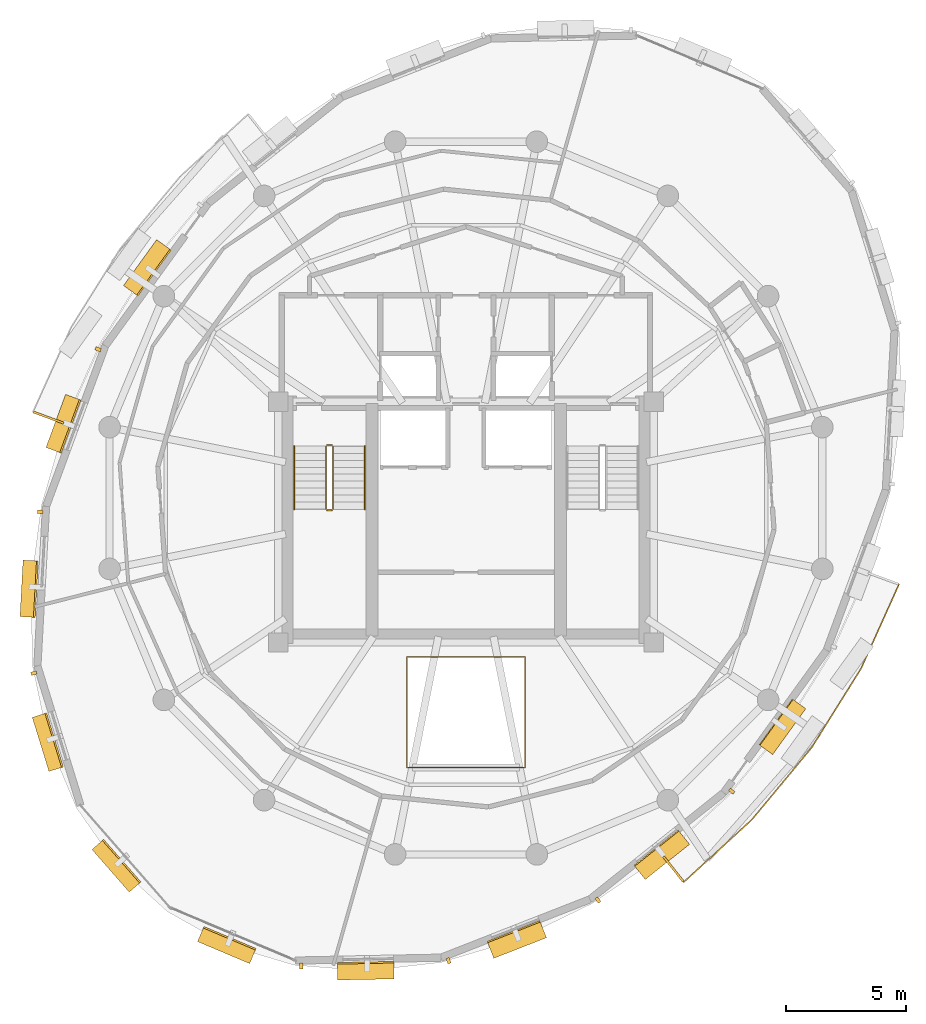
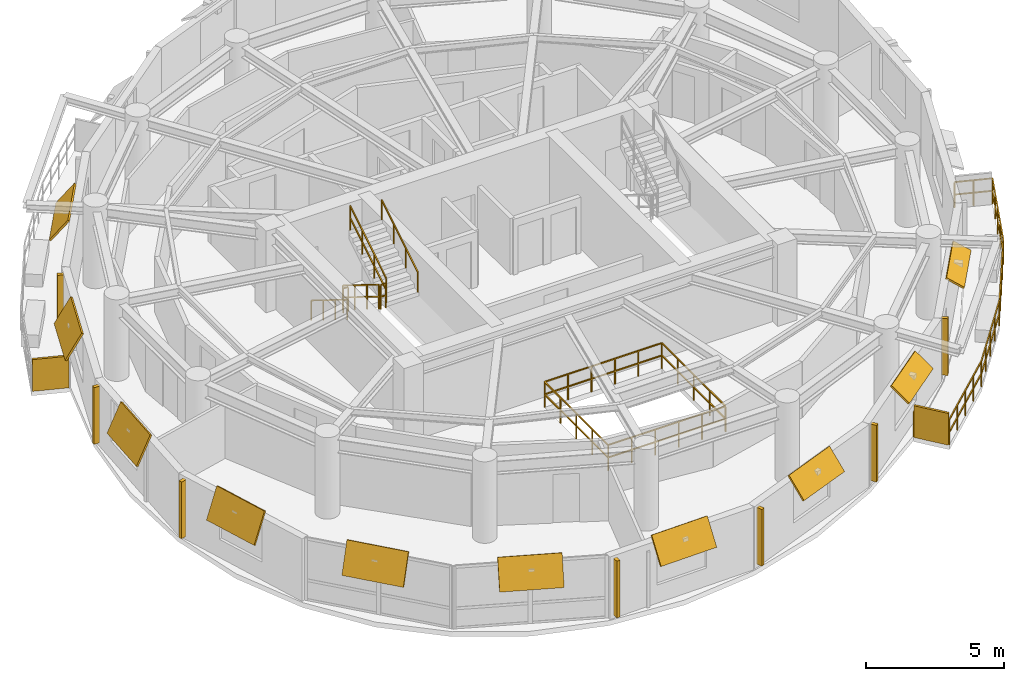
# One storey, part 10 of 11: 19 shading devices, 8 railings.
"""IFC4 building model written with IfcOpenShell, lengths in metres."""

from ifc_helpers import new_model, si_unit, direction, frame, origin, origin_2d, place, context, subcontext, project, spatial, rectangle, extrude, material, layer, layer_set, type_object, element, save


model = new_model("IFC4")

# Units and contexts
model_context = context("Model", 3, precision=1e-05, world=origin(), true_north=direction((0.0, 1.0)))
body_context = subcontext(model_context, "Body", "Model", "MODEL_VIEW")
ifc_project = project(units=[si_unit("LENGTHUNIT", "METRE"), si_unit("AREAUNIT", "SQUARE_METRE"), si_unit("VOLUMEUNIT", "CUBIC_METRE"), si_unit("PLANEANGLEUNIT", "RADIAN"), si_unit("MASSUNIT", "GRAM", prefix="KILO"), si_unit("THERMODYNAMICTEMPERATUREUNIT", "KELVIN"), si_unit("POWERUNIT", "WATT")], contexts=[model_context])

# Site, building, storey
site_placement = place(None, origin())
site = spatial("IfcSite", under=ifc_project, at=site_placement, CompositionType="ELEMENT")
building_placement = place(site_placement, origin())
building = spatial("IfcBuilding", under=site, at=building_placement, Name="Ocrelia Relay Tower", CompositionType="ELEMENT")
storey_placement = place(building_placement, frame((0.0, 0.0, 255.60009765625)))
storey = spatial("IfcBuildingStorey", under=building, at=storey_placement, Name="L63", CompositionType="ELEMENT", Elevation=255.60009765625)

# Railings
ifc_material_1 = material(Name="Steel S355 balustrade", Category="steel")
railing_type_1 = type_object("IfcRailingType", Name="RL-EXT-GUARD-1150", PredefinedType="GUARDRAIL", material=ifc_material_1)
railing_1_placement = place(storey_placement, frame((50.68994140625, 22.896240234375, 0.0)))
element("IfcRailing", 1, at=railing_1_placement, inside=storey, type_object=railing_type_1, Name="L63 Loggia Balcony Guard Rail B2", PredefinedType="GUARDRAIL", context=body_context, shape_type="SweptSolid", body=[
    extrude(rectangle(XDim=0.048095703125, YDim=0.048095703125, at=origin_2d()), frame((0.0, 0.0, 1.1259765625), z_axis=(0.938683645607, -0.344779659305, 0.0), x_axis=(0.344779659305, 0.938683645607, 0.0)), (0.0, 0.0, 1.0), 1.3935546875),
    extrude(rectangle(XDim=0.048095703125, YDim=0.048095703125, at=origin_2d()), frame((0.0, 0.0, 0.574951171875), z_axis=(0.938683645607, -0.344779659305, 0.0), x_axis=(0.344779659305, 0.938683645607, 0.0)), (0.0, 0.0, 1.0), 1.3935546875),
    extrude(rectangle(XDim=0.048095703125, YDim=0.048095703125, at=origin_2d()), frame((1.30810546875, -0.48046875, 1.1259765625), z_axis=(-0.410026418912, -0.912073646036, 0.0), x_axis=(0.912073646036, -0.410026418912, 0.0)), (0.0, 0.0, 1.0), 1.9208984375),
    extrude(rectangle(XDim=0.048095703125, YDim=0.048095703125, at=origin_2d()), frame((1.30810546875, -0.48046875, 0.574951171875), z_axis=(-0.410026418912, -0.912073646036, 0.0), x_axis=(0.912073646036, -0.410026418912, 0.0)), (0.0, 0.0, 1.0), 1.9208984375),
    extrude(rectangle(XDim=0.048095703125, YDim=0.048095703125, at=origin_2d()), frame((0.5205078125, -2.232421875, 1.1259765625), z_axis=(-0.410073956209, -0.912052273962, 0.0), x_axis=(0.912052273962, -0.410073956209, 0.0)), (0.0, 0.0, 1.0), 1.920654296875),
    extrude(rectangle(XDim=0.048095703125, YDim=0.048095703125, at=origin_2d()), frame((0.5205078125, -2.232421875, 0.574951171875), z_axis=(-0.410073956209, -0.912052273962, 0.0), x_axis=(0.912052273962, -0.410073956209, 0.0)), (0.0, 0.0, 1.0), 1.920654296875),
    extrude(rectangle(XDim=0.048095703125, YDim=0.048095703125, at=origin_2d()), frame((-0.26708984375, -3.984130859375, 1.1259765625), z_axis=(-0.529976327582, -0.848012436349, 0.0), x_axis=(0.848012436349, -0.529976327582, 0.0)), (0.0, 0.0, 1.0), 3.882080078125),
    extrude(rectangle(XDim=0.048095703125, YDim=0.048095703125, at=origin_2d()), frame((-0.26708984375, -3.984130859375, 0.574951171875), z_axis=(-0.529976327582, -0.848012436349, 0.0), x_axis=(0.848012436349, -0.529976327582, 0.0)), (0.0, 0.0, 1.0), 3.882080078125),
    extrude(rectangle(XDim=0.048095703125, YDim=0.048095703125, at=origin_2d()), frame((-2.324462890625, -7.276123046875, 1.1259765625), z_axis=(-0.638735705815, -0.769426213562, 0.0), x_axis=(0.769426213562, -0.638735705815, 0.0)), (0.0, 0.0, 1.0), 3.8818359375),
    extrude(rectangle(XDim=0.048095703125, YDim=0.048095703125, at=origin_2d()), frame((-2.324462890625, -7.276123046875, 0.574951171875), z_axis=(-0.638735705815, -0.769426213562, 0.0), x_axis=(0.769426213562, -0.638735705815, 0.0)), (0.0, 0.0, 1.0), 3.8818359375),
    extrude(rectangle(XDim=0.048095703125, YDim=0.048095703125, at=origin_2d()), frame((-4.803955078125, -10.262939453125, 1.1259765625), z_axis=(-0.737138310617, -0.675741896748, 0.0), x_axis=(0.675741896748, -0.737138310617, 0.0)), (0.0, 0.0, 1.0), 1.920654296875),
    extrude(rectangle(XDim=0.048095703125, YDim=0.048095703125, at=origin_2d()), frame((-4.803955078125, -10.262939453125, 0.574951171875), z_axis=(-0.737138310617, -0.675741896748, 0.0), x_axis=(0.675741896748, -0.737138310617, 0.0)), (0.0, 0.0, 1.0), 1.920654296875),
    extrude(rectangle(XDim=0.048095703125, YDim=0.048095703125, at=origin_2d()), frame((-6.2197265625, -11.560791015625, 1.1259765625), z_axis=(-0.737196346491, -0.675678582405, 0.0), x_axis=(0.675678582405, -0.737196346491, 0.0)), (0.0, 0.0, 1.0), 1.9208984375),
    extrude(rectangle(XDim=0.048095703125, YDim=0.048095703125, at=origin_2d()), frame((-6.2197265625, -11.560791015625, 0.574951171875), z_axis=(-0.737196346491, -0.675678582405, 0.0), x_axis=(0.675678582405, -0.737196346491, 0.0)), (0.0, 0.0, 1.0), 1.9208984375),
    extrude(rectangle(XDim=0.048095703125, YDim=0.048095703125, at=origin_2d()), frame((-7.6357421875, -12.858642578125, 1.1259765625), z_axis=(-0.621999067939, 0.783017981583, 0.0), x_axis=(-0.783017981583, -0.621999067939, 0.0)), (0.0, 0.0, 1.0), 1.393310546875),
    extrude(rectangle(XDim=0.048095703125, YDim=0.048095703125, at=origin_2d()), frame((-7.6357421875, -12.858642578125, 0.574951171875), z_axis=(-0.621999067939, 0.783017981583, 0.0), x_axis=(-0.783017981583, -0.621999067939, 0.0)), (0.0, 0.0, 1.0), 1.393310546875),
    extrude(rectangle(XDim=0.0419921875, YDim=0.0419921875, at=origin_2d()), origin(), (0.0, 0.0, 1.0), 1.101806640625),
    extrude(rectangle(XDim=0.0419921875, YDim=0.0419921875, at=origin_2d()), frame((0.654052734375, -0.240234375, 0.0)), (0.0, 0.0, 1.0), 1.101806640625),
    extrude(rectangle(XDim=0.0419921875, YDim=0.0419921875, at=origin_2d()), frame((1.30810546875, -0.48046875, 0.0)), (0.0, 0.0, 1.0), 1.101806640625),
    extrude(rectangle(XDim=0.0419921875, YDim=0.0419921875, at=origin_2d()), frame((0.914306640625, -1.3564453125, 0.0)), (0.0, 0.0, 1.0), 1.101806640625),
    extrude(rectangle(XDim=0.0419921875, YDim=0.0419921875, at=origin_2d()), frame((0.5205078125, -2.232421875, 0.0)), (0.0, 0.0, 1.0), 1.101806640625),
    extrude(rectangle(XDim=0.0419921875, YDim=0.0419921875, at=origin_2d()), frame((0.126708984375, -3.1083984375, 0.0)), (0.0, 0.0, 1.0), 1.101806640625),
    extrude(rectangle(XDim=0.0419921875, YDim=0.0419921875, at=origin_2d()), frame((-0.26708984375, -3.984130859375, 0.0)), (0.0, 0.0, 1.0), 1.101806640625),
    extrude(rectangle(XDim=0.0419921875, YDim=0.0419921875, at=origin_2d()), frame((-0.781494140625, -4.80712890625, 0.0)), (0.0, 0.0, 1.0), 1.101806640625),
    extrude(rectangle(XDim=0.0419921875, YDim=0.0419921875, at=origin_2d()), frame((-1.2958984375, -5.630126953125, 0.0)), (0.0, 0.0, 1.0), 1.101806640625),
    extrude(rectangle(XDim=0.0419921875, YDim=0.0419921875, at=origin_2d()), frame((-1.81005859375, -6.453125, 0.0)), (0.0, 0.0, 1.0), 1.101806640625),
    extrude(rectangle(XDim=0.0419921875, YDim=0.0419921875, at=origin_2d()), frame((-2.324462890625, -7.276123046875, 0.0)), (0.0, 0.0, 1.0), 1.101806640625),
    extrude(rectangle(XDim=0.0419921875, YDim=0.0419921875, at=origin_2d()), frame((-2.9443359375, -8.02294921875, 0.0)), (0.0, 0.0, 1.0), 1.101806640625),
    extrude(rectangle(XDim=0.0419921875, YDim=0.0419921875, at=origin_2d()), frame((-3.564208984375, -8.76953125, 0.0)), (0.0, 0.0, 1.0), 1.101806640625),
    extrude(rectangle(XDim=0.0419921875, YDim=0.0419921875, at=origin_2d()), frame((-4.18408203125, -9.51611328125, 0.0)), (0.0, 0.0, 1.0), 1.101806640625),
    extrude(rectangle(XDim=0.0419921875, YDim=0.0419921875, at=origin_2d()), frame((-4.803955078125, -10.262939453125, 0.0)), (0.0, 0.0, 1.0), 1.101806640625),
    extrude(rectangle(XDim=0.0419921875, YDim=0.0419921875, at=origin_2d()), frame((-5.51171875, -10.911865234375, 0.0)), (0.0, 0.0, 1.0), 1.101806640625),
    extrude(rectangle(XDim=0.0419921875, YDim=0.0419921875, at=origin_2d()), frame((-6.2197265625, -11.560791015625, 0.0)), (0.0, 0.0, 1.0), 1.101806640625),
    extrude(rectangle(XDim=0.0419921875, YDim=0.0419921875, at=origin_2d()), frame((-6.927734375, -12.209716796875, 0.0)), (0.0, 0.0, 1.0), 1.101806640625),
    extrude(rectangle(XDim=0.0419921875, YDim=0.0419921875, at=origin_2d()), frame((-7.6357421875, -12.858642578125, 0.0)), (0.0, 0.0, 1.0), 1.101806640625),
    extrude(rectangle(XDim=0.0419921875, YDim=0.0419921875, at=origin_2d()), frame((-8.069091796875, -12.31298828125, 0.0)), (0.0, 0.0, 1.0), 1.101806640625),
    extrude(rectangle(XDim=0.0419921875, YDim=0.0419921875, at=origin_2d()), frame((-8.50244140625, -11.767578125, 0.0)), (0.0, 0.0, 1.0), 1.101806640625),
])
ifc_material_2 = material(Name="Steel S355 atrium balustrade", Category="steel")
railing_type_2 = type_object("IfcRailingType", Name="RL-INT-GUARD-115", PredefinedType="GUARDRAIL", material=ifc_material_2)
railing_2_placement = place(storey_placement, frame((31.550048828125, 14.800048828125, 0.0)))
element("IfcRailing", 2, at=railing_2_placement, inside=storey, type_object=railing_type_2, Name="L63 Multi-Zone Interior Atrium Guard", PredefinedType="GUARDRAIL", context=body_context, shape_type="SweptSolid", body=[
    extrude(rectangle(XDim=0.048095703125, YDim=0.048095703125, at=origin_2d()), frame((0.0, 0.0, 1.1259765625), z_axis=(1.0, 0.0, 0.0), x_axis=(0.0, 1.0, 0.0)), (0.0, 0.0, 1.0), 4.89990234375),
    extrude(rectangle(XDim=0.048095703125, YDim=0.048095703125, at=origin_2d()), frame((0.0, 0.0, 0.574951171875), z_axis=(1.0, 0.0, 0.0), x_axis=(0.0, 1.0, 0.0)), (0.0, 0.0, 1.0), 4.89990234375),
    extrude(rectangle(XDim=0.048095703125, YDim=0.048095703125, at=origin_2d()), frame((4.89990234375, 0.0, 1.1259765625), z_axis=(0.0, 1.0, 0.0), x_axis=(-1.0, 0.0, 0.0)), (0.0, 0.0, 1.0), 4.599853515625),
    extrude(rectangle(XDim=0.048095703125, YDim=0.048095703125, at=origin_2d()), frame((4.89990234375, 0.0, 0.574951171875), z_axis=(0.0, 1.0, 0.0), x_axis=(-1.0, 0.0, 0.0)), (0.0, 0.0, 1.0), 4.599853515625),
    extrude(rectangle(XDim=0.048095703125, YDim=0.048095703125, at=origin_2d()), frame((4.89990234375, 4.599853515625, 1.1259765625), z_axis=(-1.0, 0.0, 0.0), x_axis=(0.0, -1.0, 0.0)), (0.0, 0.0, 1.0), 4.89990234375),
    extrude(rectangle(XDim=0.048095703125, YDim=0.048095703125, at=origin_2d()), frame((4.89990234375, 4.599853515625, 0.574951171875), z_axis=(-1.0, 0.0, 0.0), x_axis=(0.0, -1.0, 0.0)), (0.0, 0.0, 1.0), 4.89990234375),
    extrude(rectangle(XDim=0.048095703125, YDim=0.048095703125, at=origin_2d()), frame((0.0, 4.599853515625, 1.1259765625), z_axis=(0.0, -1.0, 0.0), x_axis=(1.0, 0.0, 0.0)), (0.0, 0.0, 1.0), 4.599853515625),
    extrude(rectangle(XDim=0.048095703125, YDim=0.048095703125, at=origin_2d()), frame((0.0, 4.599853515625, 0.574951171875), z_axis=(0.0, -1.0, 0.0), x_axis=(1.0, 0.0, 0.0)), (0.0, 0.0, 1.0), 4.599853515625),
    extrude(rectangle(XDim=0.0419921875, YDim=0.0419921875, at=origin_2d()), origin(), (0.0, 0.0, 1.0), 1.101806640625),
    extrude(rectangle(XDim=0.0419921875, YDim=0.0419921875, at=origin_2d()), frame((0.97998046875, 0.0, 0.0)), (0.0, 0.0, 1.0), 1.101806640625),
    extrude(rectangle(XDim=0.0419921875, YDim=0.0419921875, at=origin_2d()), frame((1.9599609375, 0.0, 0.0)), (0.0, 0.0, 1.0), 1.101806640625),
    extrude(rectangle(XDim=0.0419921875, YDim=0.0419921875, at=origin_2d()), frame((2.93994140625, 0.0, 0.0)), (0.0, 0.0, 1.0), 1.101806640625),
    extrude(rectangle(XDim=0.0419921875, YDim=0.0419921875, at=origin_2d()), frame((3.919921875, 0.0, 0.0)), (0.0, 0.0, 1.0), 1.101806640625),
    extrude(rectangle(XDim=0.0419921875, YDim=0.0419921875, at=origin_2d()), frame((4.89990234375, 0.0, 0.0)), (0.0, 0.0, 1.0), 1.101806640625),
    extrude(rectangle(XDim=0.0419921875, YDim=0.0419921875, at=origin_2d()), frame((4.89990234375, 1.14990234375, 0.0)), (0.0, 0.0, 1.0), 1.101806640625),
    extrude(rectangle(XDim=0.0419921875, YDim=0.0419921875, at=origin_2d()), frame((4.89990234375, 2.2998046875, 0.0)), (0.0, 0.0, 1.0), 1.101806640625),
    extrude(rectangle(XDim=0.0419921875, YDim=0.0419921875, at=origin_2d()), frame((4.89990234375, 3.449951171875, 0.0)), (0.0, 0.0, 1.0), 1.101806640625),
    extrude(rectangle(XDim=0.0419921875, YDim=0.0419921875, at=origin_2d()), frame((4.89990234375, 4.599853515625, 0.0)), (0.0, 0.0, 1.0), 1.101806640625),
    extrude(rectangle(XDim=0.0419921875, YDim=0.0419921875, at=origin_2d()), frame((3.919921875, 4.599853515625, 0.0)), (0.0, 0.0, 1.0), 1.101806640625),
    extrude(rectangle(XDim=0.0419921875, YDim=0.0419921875, at=origin_2d()), frame((2.93994140625, 4.599853515625, 0.0)), (0.0, 0.0, 1.0), 1.101806640625),
    extrude(rectangle(XDim=0.0419921875, YDim=0.0419921875, at=origin_2d()), frame((1.9599609375, 4.599853515625, 0.0)), (0.0, 0.0, 1.0), 1.101806640625),
    extrude(rectangle(XDim=0.0419921875, YDim=0.0419921875, at=origin_2d()), frame((0.97998046875, 4.599853515625, 0.0)), (0.0, 0.0, 1.0), 1.101806640625),
    extrude(rectangle(XDim=0.0419921875, YDim=0.0419921875, at=origin_2d()), frame((0.0, 4.599853515625, 0.0)), (0.0, 0.0, 1.0), 1.101806640625),
    extrude(rectangle(XDim=0.0419921875, YDim=0.0419921875, at=origin_2d()), frame((0.0, 3.449951171875, 0.0)), (0.0, 0.0, 1.0), 1.101806640625),
    extrude(rectangle(XDim=0.0419921875, YDim=0.0419921875, at=origin_2d()), frame((0.0, 2.2998046875, 0.0)), (0.0, 0.0, 1.0), 1.101806640625),
    extrude(rectangle(XDim=0.0419921875, YDim=0.0419921875, at=origin_2d()), frame((0.0, 1.14990234375, 0.0)), (0.0, 0.0, 1.0), 1.101806640625),
])
railing_type_3 = type_object("IfcRailingType", Name="RL-STAIR-GUARD", PredefinedType="GUARDRAIL", material=ifc_material_1)
railing_3_placement = place(storey_placement, frame((28.179931640625, 28.14990234375, 0.179931640625)))
element("IfcRailing", 3, at=railing_3_placement, inside=storey, type_object=railing_type_3, Name="L63 ST1 stair guard 1", PredefinedType="GUARDRAIL", context=body_context, shape_type="SweptSolid", body=[
    extrude(rectangle(XDim=0.048095703125, YDim=0.048095703125, at=origin_2d()), frame((0.0, 0.0, 1.076171875), z_axis=(0.0, -0.849646306263, 0.527352969322), x_axis=(1.0, 0.0, 0.0)), (0.0, 0.0, 1.0), 3.07177734375),
    extrude(rectangle(XDim=0.048095703125, YDim=0.048095703125, at=origin_2d()), frame((0.0, 0.0, 0.550048828125), z_axis=(0.0, -0.849646306263, 0.527352969322), x_axis=(1.0, 0.0, 0.0)), (0.0, 0.0, 1.0), 3.07177734375),
    extrude(rectangle(XDim=0.0419921875, YDim=0.0419921875, at=origin_2d()), origin(), (0.0, 0.0, 1.0), 1.052001953125),
    extrude(rectangle(XDim=0.0419921875, YDim=0.0419921875, at=origin_2d()), frame((0.0, -0.869873046875, 0.5400390625)), (0.0, 0.0, 1.0), 1.052001953125),
    extrude(rectangle(XDim=0.0419921875, YDim=0.0419921875, at=origin_2d()), frame((0.0, -1.739990234375, 1.079833984375)), (0.0, 0.0, 1.0), 1.052001953125),
    extrude(rectangle(XDim=0.0419921875, YDim=0.0419921875, at=origin_2d()), frame((0.0, -2.60986328125, 1.619873046875)), (0.0, 0.0, 1.0), 1.052001953125),
])
railing_4_placement = place(storey_placement, frame((28.22998046875, 25.489990234375, 1.7998046875)))
element("IfcRailing", 4, at=railing_4_placement, inside=storey, type_object=railing_type_3, Name="L63 ST1 stair guard 2", PredefinedType="GUARDRAIL", context=body_context, shape_type="SweptSolid", body=[
    extrude(rectangle(XDim=0.048095703125, YDim=0.048095703125, at=origin_2d()), frame((0.0, 0.0, 1.076171875), z_axis=(1.0, 0.0, 0.0), x_axis=(0.0, 1.0, 0.0)), (0.0, 0.0, 1.0), 0.199951171875),
    extrude(rectangle(XDim=0.048095703125, YDim=0.048095703125, at=origin_2d()), frame((0.0, 0.0, 0.550048828125), z_axis=(1.0, 0.0, 0.0), x_axis=(0.0, 1.0, 0.0)), (0.0, 0.0, 1.0), 0.199951171875),
    extrude(rectangle(XDim=0.0419921875, YDim=0.0419921875, at=origin_2d()), origin(), (0.0, 0.0, 1.0), 1.052001953125),
    extrude(rectangle(XDim=0.0419921875, YDim=0.0419921875, at=origin_2d()), frame((0.199951171875, 0.0, 0.0)), (0.0, 0.0, 1.0), 1.052001953125),
])
railing_5_placement = place(storey_placement, frame((28.47998046875, 25.5400390625, 1.97998046875)))
element("IfcRailing", 5, at=railing_5_placement, inside=storey, type_object=railing_type_3, Name="L63 ST1 stair guard 3", PredefinedType="GUARDRAIL", context=body_context, shape_type="SweptSolid", body=[
    extrude(rectangle(XDim=0.048095703125, YDim=0.048095703125, at=origin_2d()), frame((0.0, 0.0, 1.076171875), z_axis=(0.0, 0.849646306263, 0.527352969322), x_axis=(-1.0, 0.0, 0.0)), (0.0, 0.0, 1.0), 3.07177734375),
    extrude(rectangle(XDim=0.048095703125, YDim=0.048095703125, at=origin_2d()), frame((0.0, 0.0, 0.550048828125), z_axis=(0.0, 0.849646306263, 0.527352969322), x_axis=(-1.0, 0.0, 0.0)), (0.0, 0.0, 1.0), 3.07177734375),
    extrude(rectangle(XDim=0.0419921875, YDim=0.0419921875, at=origin_2d()), origin(), (0.0, 0.0, 1.0), 1.052001953125),
    extrude(rectangle(XDim=0.0419921875, YDim=0.0419921875, at=origin_2d()), frame((0.0, 0.869873046875, 0.5400390625)), (0.0, 0.0, 1.0), 1.052001953125),
    extrude(rectangle(XDim=0.0419921875, YDim=0.0419921875, at=origin_2d()), frame((0.0, 1.739990234375, 1.079833984375)), (0.0, 0.0, 1.0), 1.052001953125),
    extrude(rectangle(XDim=0.0419921875, YDim=0.0419921875, at=origin_2d()), frame((0.0, 2.60986328125, 1.619873046875)), (0.0, 0.0, 1.0), 1.052001953125),
])
railing_6_placement = place(storey_placement, frame((28.22998046875, 28.199951171875, 0.0)))
element("IfcRailing", 6, at=railing_6_placement, inside=storey, type_object=railing_type_3, Name="L63 ST1 stair guard 4", PredefinedType="GUARDRAIL", context=body_context, shape_type="SweptSolid", body=[
    extrude(rectangle(XDim=0.048095703125, YDim=0.048095703125, at=origin_2d()), frame((0.0, 0.0, 1.076171875), z_axis=(1.0, 0.0, 0.0), x_axis=(0.0, 1.0, 0.0)), (0.0, 0.0, 1.0), 0.199951171875),
    extrude(rectangle(XDim=0.048095703125, YDim=0.048095703125, at=origin_2d()), frame((0.0, 0.0, 0.550048828125), z_axis=(1.0, 0.0, 0.0), x_axis=(0.0, 1.0, 0.0)), (0.0, 0.0, 1.0), 0.199951171875),
    extrude(rectangle(XDim=0.0419921875, YDim=0.0419921875, at=origin_2d()), origin(), (0.0, 0.0, 1.0), 1.052001953125),
    extrude(rectangle(XDim=0.0419921875, YDim=0.0419921875, at=origin_2d()), frame((0.199951171875, 0.0, 0.0)), (0.0, 0.0, 1.0), 1.052001953125),
])
ifc_material_3 = material(Name="Steel S355 tubular handrail", Category="steel")
railing_type_4 = type_object("IfcRailingType", Name="RL-STAIR-HAND", PredefinedType="HANDRAIL", material=ifc_material_3)
railing_7_placement = place(storey_placement, frame((26.860107421875, 28.14990234375, 0.179931640625)))
element("IfcRailing", 7, at=railing_7_placement, inside=storey, type_object=railing_type_4, Name="L63 ST1 stair handrail 1", PredefinedType="HANDRAIL", context=body_context, shape_type="SweptSolid", body=[
    extrude(rectangle(XDim=0.048095703125, YDim=0.048095703125, at=origin_2d()), frame((0.0, 0.0, 0.8759765625), z_axis=(0.0, -0.849646306263, 0.527352969322), x_axis=(1.0, 0.0, 0.0)), (0.0, 0.0, 1.0), 3.07177734375),
    extrude(rectangle(XDim=0.0419921875, YDim=0.0419921875, at=origin_2d()), origin(), (0.0, 0.0, 1.0), 0.851806640625),
    extrude(rectangle(XDim=0.0419921875, YDim=0.0419921875, at=origin_2d()), frame((0.0, -0.869873046875, 0.5400390625)), (0.0, 0.0, 1.0), 0.851806640625),
    extrude(rectangle(XDim=0.0419921875, YDim=0.0419921875, at=origin_2d()), frame((0.0, -1.739990234375, 1.079833984375)), (0.0, 0.0, 1.0), 0.851806640625),
    extrude(rectangle(XDim=0.0419921875, YDim=0.0419921875, at=origin_2d()), frame((0.0, -2.60986328125, 1.619873046875)), (0.0, 0.0, 1.0), 0.851806640625),
])
railing_8_placement = place(storey_placement, frame((29.800048828125, 25.5400390625, 1.97998046875)))
element("IfcRailing", 8, at=railing_8_placement, inside=storey, type_object=railing_type_4, Name="L63 ST1 stair handrail 2", PredefinedType="HANDRAIL", context=body_context, shape_type="SweptSolid", body=[
    extrude(rectangle(XDim=0.048095703125, YDim=0.048095703125, at=origin_2d()), frame((0.0, 0.0, 0.8759765625), z_axis=(0.0, 0.849646306263, 0.527352969322), x_axis=(-1.0, 0.0, 0.0)), (0.0, 0.0, 1.0), 3.07177734375),
    extrude(rectangle(XDim=0.0419921875, YDim=0.0419921875, at=origin_2d()), origin(), (0.0, 0.0, 1.0), 0.851806640625),
    extrude(rectangle(XDim=0.0419921875, YDim=0.0419921875, at=origin_2d()), frame((0.0, 0.869873046875, 0.5400390625)), (0.0, 0.0, 1.0), 0.851806640625),
    extrude(rectangle(XDim=0.0419921875, YDim=0.0419921875, at=origin_2d()), frame((0.0, 1.739990234375, 1.079833984375)), (0.0, 0.0, 1.0), 0.851806640625),
    extrude(rectangle(XDim=0.0419921875, YDim=0.0419921875, at=origin_2d()), frame((0.0, 2.60986328125, 1.619873046875)), (0.0, 0.0, 1.0), 0.851806640625),
])

# Shading devices
ifc_material_4 = material(Name="Perforated oxide terracotta solar screen", Category="masonry")
ifc_layer_1 = layer(ifc_material_4, 0.090087890625, Name="Perforated oxide terracotta solar screen")
ifc_layer_set_1 = layer_set([ifc_layer_1], Name="Perforated oxide terracotta solar screen")
shading_device_type_1 = type_object("IfcShadingDeviceType", Name="SH-BALC-SCREEN", PredefinedType="USERDEFINED", material=ifc_layer_set_1)
for number, where, z_axis, x_axis, name in (
    (9, (16.656005859375, 29.343994140625, 0.0), (0.0, 0.0, 1.0), (-0.938699144993, 0.344737458349, 0.0), "L63 Balcony Perforated Terracotta Screen B1-2"),
    (10, (42.620849609375, 10.5830078125, 0.0), (0.0, 0.0, 1.0), (0.622030985687, -0.782992626303, 0.0), "L63 Balcony Perforated Terracotta Screen B2-1"),
):
    element("IfcShadingDevice", number, at=place(storey_placement, frame(where, z_axis=z_axis, x_axis=x_axis)), inside=storey, type_object=shading_device_type_1, Name=name, ObjectType="SCREEN", PredefinedType="USERDEFINED", context=body_context, shape_type="SweptSolid", body=[
        extrude(rectangle(XDim=1.340087890625, YDim=0.090087890625, at=origin_2d()), origin(), (0.0, 0.0, 1.0), 1.39990234375),
    ])
ifc_material_5 = material(Name="Extruded oxide terracotta vertical baguette", Category="masonry")
shading_device_type_2 = type_object("IfcShadingDeviceType", Name="SH-TERR-BAGUETTE", PredefinedType="USERDEFINED", material=ifc_material_5)
for number, where, z_axis, x_axis, name in (
    (11, (18.7138671875, 32.184814453125, 0.1298828125), (0.0, 0.0, 1.0), (-0.346256297157, -0.938139955806, 0.0), "L63 Oxide Terracotta Vertical Baguette 06"),
    (12, (16.306396484375, 25.427978515625, 0.1298828125), (0.0, 0.0, 1.0), (-0.054025965219, -0.998539531056, 0.0), "L63 Oxide Terracotta Vertical Baguette 07"),
    (13, (16.041259765625, 18.724609375, 0.1298828125), (0.0, 0.0, 1.0), (0.295171841882, -0.955444181394, 0.0), "L63 Oxide Terracotta Vertical Baguette 08"),
    (14, (27.150634765625, 6.5546875, 0.1298828125), (0.0, 0.0, 1.0), (0.999804696142, 0.019762833108, 0.0), "L63 Oxide Terracotta Vertical Baguette 11"),
    (15, (33.274169921875, 6.773193359375, 0.1298828125), (0.0, 0.0, 1.0), (0.931075889498, 0.36482555831, 0.0), "L63 Oxide Terracotta Vertical Baguette 12"),
    (16, (39.483154296875, 9.29296875, 0.1298828125), (0.0, 0.0, 1.0), (0.781972743201, 0.623312625326, 0.0), "L63 Oxide Terracotta Vertical Baguette 13"),
    (17, (45.04296875, 13.818115234375, 0.1298828125), (0.0, 0.0, 1.0), (0.585660252398, 0.810556641303, 0.0), "L63 Oxide Terracotta Vertical Baguette 14"),
):
    element("IfcShadingDevice", number, at=place(storey_placement, frame(where, z_axis=z_axis, x_axis=x_axis)), inside=storey, type_object=shading_device_type_2, Name=name, ObjectType="BAGUETTE", PredefinedType="USERDEFINED", context=body_context, shape_type="SweptSolid", body=[
        extrude(rectangle(XDim=0.139892578125, YDim=0.239990234375, at=origin_2d()), origin(), (0.0, 0.0, 1.0), 2.5),
    ])
ifc_material_6 = material(Name="Extruded oxide terracotta fin", Category="masonry")
ifc_layer_2 = layer(ifc_material_6, 0.080078125, Name="Extruded oxide terracotta fin")
ifc_layer_set_2 = layer_set([ifc_layer_2], Name="Extruded oxide terracotta fin")
shading_device_type_3 = type_object("IfcShadingDeviceType", Name="SH-VISOR-FIN-DEEP", PredefinedType="USERDEFINED", material=ifc_layer_set_2)
shading_device_1_placement = place(storey_placement, frame((17.30517578125, 29.07421875, 2.580810546875), z_axis=(-0.824843774331, 0.304440024397, 0.476391666061), x_axis=(-0.346256297157, -0.938139955806, 0.0)))
element("IfcShadingDevice", 18, at=shading_device_1_placement, inside=storey, type_object=shading_device_type_3, Name="L63 Canted Terracotta Sun-Visor Fin 06", ObjectType="FIN", PredefinedType="USERDEFINED", context=body_context, shape_type="SweptSolid", body=[
    extrude(rectangle(XDim=2.35009765625, YDim=1.27587890625, at=origin_2d()), origin(), (0.0, 0.0, 1.0), 0.080078125),
])
shading_device_2_placement = place(storey_placement, frame((15.882080078125, 22.2275390625, 2.583251953125), z_axis=(-0.907617782341, 0.049106645471, 0.416915457315), x_axis=(-0.054025965219, -0.998539531056, 0.0)))
element("IfcShadingDevice", 19, at=shading_device_2_placement, inside=storey, type_object=shading_device_type_3, Name="L63 Canted Terracotta Sun-Visor Fin 07", ObjectType="FIN", PredefinedType="USERDEFINED", context=body_context, shape_type="SweptSolid", body=[
    extrude(rectangle(XDim=2.35009765625, YDim=1.339111328125, at=origin_2d()), origin(), (0.0, 0.0, 1.0), 0.080078125),
])
shading_device_3_placement = place(storey_placement, frame((16.655517578125, 15.86572265625, 2.58349609375), z_axis=(-0.872162103215, -0.269442945427, 0.408330460381), x_axis=(0.295171841882, -0.955444181394, 0.0)))
element("IfcShadingDevice", 20, at=shading_device_3_placement, inside=storey, type_object=shading_device_type_3, Name="L63 Canted Terracotta Sun-Visor Fin 08", ObjectType="FIN", PredefinedType="USERDEFINED", context=body_context, shape_type="SweptSolid", body=[
    extrude(rectangle(XDim=2.35009765625, YDim=1.347900390625, at=origin_2d()), origin(), (0.0, 0.0, 1.0), 0.080078125),
])
shading_device_4_placement = place(storey_placement, frame((19.501953125, 10.74365234375, 2.58251953125), z_axis=(-0.678235678057, -0.593701493457, 0.433029908525), x_axis=(0.658658709941, -0.752441827532, 0.0)))
element("IfcShadingDevice", 21, at=shading_device_4_placement, inside=storey, type_object=shading_device_type_3, Name="L63 Canted Terracotta Sun-Visor Fin 09", ObjectType="FIN", PredefinedType="USERDEFINED", context=body_context, shape_type="SweptSolid", body=[
    extrude(rectangle(XDim=2.35009765625, YDim=1.322021484375, at=origin_2d()), origin(), (0.0, 0.0, 1.0), 0.080078125),
])
shading_device_5_placement = place(storey_placement, frame((24.073974609375, 7.456787109375, 2.58056640625), z_axis=(-0.340995631129, -0.807330616128, 0.481600722397), x_axis=(0.921199382172, -0.389090861221, 0.0)))
element("IfcShadingDevice", 22, at=shading_device_5_placement, inside=storey, type_object=shading_device_type_3, Name="L63 Canted Terracotta Sun-Visor Fin 10", ObjectType="FIN", PredefinedType="USERDEFINED", context=body_context, shape_type="SweptSolid", body=[
    extrude(rectangle(XDim=2.35009765625, YDim=1.27001953125, at=origin_2d()), origin(), (0.0, 0.0, 1.0), 0.080078125),
])
shading_device_6_placement = place(storey_placement, frame((29.833251953125, 6.390625, 2.57763671875), z_axis=(0.016466607598, -0.83304815236, 0.552955356864), x_axis=(0.999804696142, 0.019762833108, 0.0)))
element("IfcShadingDevice", 23, at=shading_device_6_placement, inside=storey, type_object=shading_device_type_3, Name="L63 Canted Terracotta Sun-Visor Fin 11", ObjectType="FIN", PredefinedType="USERDEFINED", context=body_context, shape_type="SweptSolid", body=[
    extrude(rectangle(XDim=2.35009765625, YDim=1.19091796875, at=origin_2d()), origin(), (0.0, 0.0, 1.0), 0.080078125),
])
ifc_layer_3 = layer(ifc_material_6, 0.080078125, Name="Extruded oxide terracotta fin")
ifc_layer_set_3 = layer_set([ifc_layer_3], Name="Extruded oxide terracotta fin")
shading_device_type_4 = type_object("IfcShadingDeviceType", Name="SH-VISOR-FIN-MED", PredefinedType="USERDEFINED", material=ifc_layer_set_3)
shading_device_7_placement = place(storey_placement, frame((20.784912109375, 35.548583984375, 2.576171875), z_axis=(-0.653166760235, 0.471939640199, 0.592153830802), x_axis=(-0.585660252398, -0.810556641303, 0.0)))
element("IfcShadingDevice", 24, at=shading_device_7_placement, inside=storey, type_object=shading_device_type_4, Name="L63 Canted Terracotta Sun-Visor Fin 05", ObjectType="FIN", PredefinedType="USERDEFINED", context=body_context, shape_type="SweptSolid", body=[
    extrude(rectangle(XDim=2.35009765625, YDim=1.14501953125, at=origin_2d()), origin(), (0.0, 0.0, 1.0), 0.080078125),
])
shading_device_8_placement = place(storey_placement, frame((36.10107421875, 7.681640625, 2.573974609375), z_axis=(0.277787365557, -0.708944624591, 0.648252804699), x_axis=(0.931075889498, 0.36482555831, 0.0)))
element("IfcShadingDevice", 25, at=shading_device_8_placement, inside=storey, type_object=shading_device_type_4, Name="L63 Canted Terracotta Sun-Visor Fin 12", ObjectType="FIN", PredefinedType="USERDEFINED", context=body_context, shape_type="SweptSolid", body=[
    extrude(rectangle(XDim=2.35009765625, YDim=1.075927734375, at=origin_2d()), origin(), (0.0, 0.0, 1.0), 0.080078125),
])
shading_device_9_placement = place(storey_placement, frame((42.119384765625, 11.19384765625, 2.5693359375), z_axis=(0.404229801673, -0.507123831693, 0.761198848376), x_axis=(0.781972743201, 0.623312625326, 0.0)))
element("IfcShadingDevice", 26, at=shading_device_9_placement, inside=storey, type_object=shading_device_type_4, Name="L63 Canted Terracotta Sun-Visor Fin 13", ObjectType="FIN", PredefinedType="USERDEFINED", context=body_context, shape_type="SweptSolid", body=[
    extrude(rectangle(XDim=2.35009765625, YDim=0.924072265625, at=origin_2d()), origin(), (0.0, 0.0, 1.0), 0.080078125),
])
ifc_layer_4 = layer(ifc_material_6, 0.080078125, Name="Extruded oxide terracotta fin")
ifc_layer_set_4 = layer_set([ifc_layer_4], Name="Extruded oxide terracotta fin")
shading_device_type_5 = type_object("IfcShadingDeviceType", Name="SH-VISOR-FIN-SHAL", PredefinedType="USERDEFINED", material=ifc_layer_set_4)
shading_device_10_placement = place(storey_placement, frame((47.13623046875, 16.50830078125, 2.565185546875), z_axis=(0.409070353526, -0.295570024705, 0.863307480775), x_axis=(0.585660252398, 0.810556641303, 0.0)))
element("IfcShadingDevice", 27, at=shading_device_10_placement, inside=storey, type_object=shading_device_type_5, Name="L63 Canted Terracotta Sun-Visor Fin 14", ObjectType="FIN", PredefinedType="USERDEFINED", context=body_context, shape_type="SweptSolid", body=[
    extrude(rectangle(XDim=2.35009765625, YDim=0.7548828125, at=origin_2d()), origin(), (0.0, 0.0, 1.0), 0.080078125),
])

save(model, "model.ifc")
